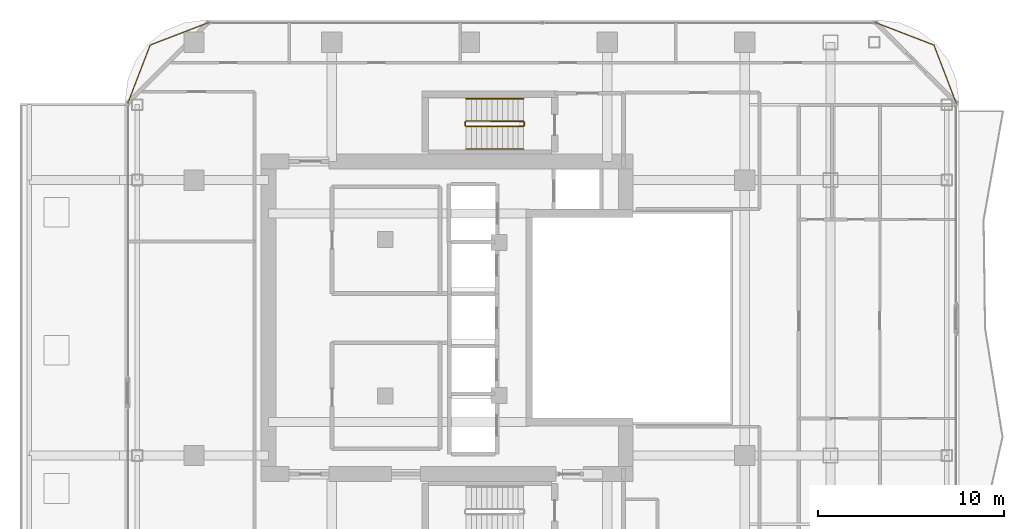
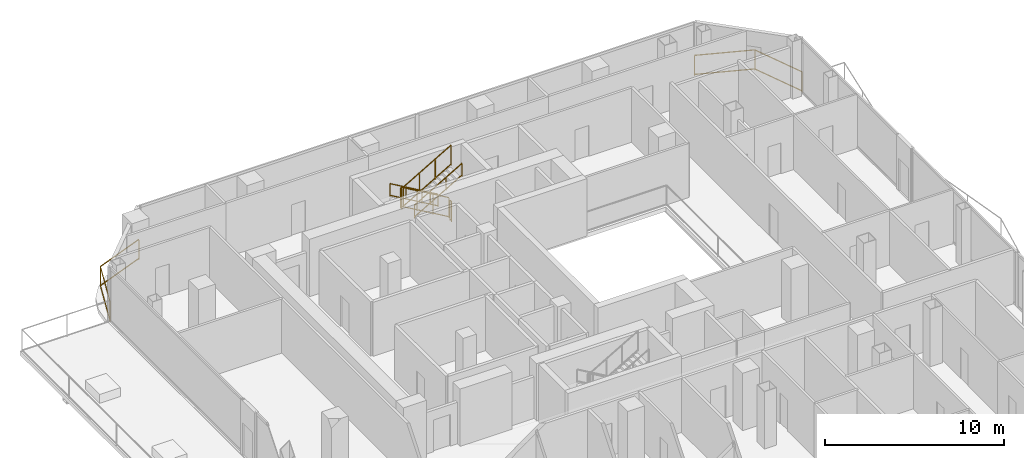
# One storey, part 26 of 26: 8 railings.
"""IFC4 building model written with IfcOpenShell, lengths in metres."""

import ifcopenshell
import ifcopenshell.guid

model = None  # the IFC model being written
_history = None  # IfcOwnerHistory: only IFC2X3 demands one
_inside = {}  # id of a spatial element -> (the spatial element, [elements in it])
_under = {}  # id of a project, library or spatial element -> (it, [spatial elements below it])
_declared = {}  # id of a project -> (the project, [libraries it declares])
_typed = {}  # id of a type object -> (the type object, [elements of that type])
_made_of = {}  # id of a material, layer set ... -> (it, [elements and type objects made of it])


def new_model(schema):
    """Start an empty IFC model of exactly this schema.

    Asked for "IFC4X3", IfcOpenShell would pick the latest addendum, in which some entities
    have other attributes; the version numbers below select the first issue.
    IFC2X3 requires an IfcOwnerHistory on every rooted entity: one is made here for all.
    """
    global model, _history
    if schema == "IFC4X3":
        model = ifcopenshell.file(schema_version=(4, 3, 0, 0))
    else:
        model = ifcopenshell.file(schema=schema)
    _inside.clear()
    _under.clear()
    _declared.clear()
    _typed.clear()
    _made_of.clear()
    _history = None
    if model.schema == "IFC2X3":
        org = make("IfcOrganization", Name="unknown")
        user = make(
            "IfcPersonAndOrganization",
            ThePerson=make("IfcPerson", FamilyName="unknown"),
            TheOrganization=org,
        )
        app = make(
            "IfcApplication",
            ApplicationDeveloper=org,
            Version="unknown",
            ApplicationFullName="unknown",
            ApplicationIdentifier="unknown",
        )
        _history = make(
            "IfcOwnerHistory",
            OwningUser=user,
            OwningApplication=app,
            ChangeAction="ADDED",
            CreationDate=0,
        )
    return model


def make(cls, **values):
    """One entity of the class cls with the attributes given. An attribute that is None is left unset."""
    return model.create_entity(
        cls, **{name: value for name, value in values.items() if value is not None}
    )


def rooted(cls, **values):
    """An entity with a GlobalId (a new one), such as an element, a storey or a relation."""
    return make(cls, GlobalId=ifcopenshell.guid.new(), OwnerHistory=_history, **values)


def si_unit(unit_type, name, prefix=None):
    """IfcSIUnit, for example si_unit("LENGTHUNIT", "METRE", prefix="MILLI")."""
    return make("IfcSIUnit", UnitType=unit_type, Prefix=prefix, Name=name)


def assignment(units):
    """IfcUnitAssignment: the units of a project."""
    return None if units is None else make("IfcUnitAssignment", Units=units)


def point(xyz):
    """IfcCartesianPoint."""
    return None if xyz is None else make("IfcCartesianPoint", Coordinates=xyz)


def direction(xyz):
    """IfcDirection."""
    return None if xyz is None else make("IfcDirection", DirectionRatios=xyz)


def frame(location, z_axis=None, x_axis=None):
    """IfcAxis2Placement3D, a coordinate frame: its origin and axes. An axis left out is left unset."""
    return make(
        "IfcAxis2Placement3D",
        Location=point(location),
        Axis=direction(z_axis),
        RefDirection=direction(x_axis),
    )


def frame_2d(location, x_axis=None):
    """IfcAxis2Placement2D, a coordinate frame in the plane: its origin and x axis."""
    return make(
        "IfcAxis2Placement2D", Location=point(location), RefDirection=direction(x_axis)
    )


def origin():
    """The frame at (0, 0, 0) with its axes left unset."""
    return frame((0.0, 0.0, 0.0))


def origin_2d():
    """The frame at (0, 0) in the plane with its x axis left unset."""
    return frame_2d((0.0, 0.0))


def place(relative_to, where):
    """IfcLocalPlacement: puts the frame where relative to a parent placement (None: the world)."""
    return make(
        "IfcLocalPlacement", PlacementRelTo=relative_to, RelativePlacement=where
    )


def context(
    kind, dimensions, precision=None, world=None, true_north=None, identifier=None
):
    """IfcGeometricRepresentationContext, for example the 3D "Model" context."""
    return make(
        "IfcGeometricRepresentationContext",
        ContextIdentifier=identifier,
        ContextType=kind,
        CoordinateSpaceDimension=dimensions,
        Precision=precision,
        WorldCoordinateSystem=world,
        TrueNorth=true_north,
    )


def subcontext(parent, identifier, kind, view, scale=None):
    """IfcGeometricRepresentationSubContext, for example "Body" below "Model"."""
    return make(
        "IfcGeometricRepresentationSubContext",
        ContextIdentifier=identifier,
        ContextType=kind,
        ParentContext=parent,
        TargetScale=scale,
        TargetView=view,
    )


def project(units=None, contexts=None):
    """IfcProject with its units and contexts."""
    return rooted(
        "IfcProject",
        Name="project",
        RepresentationContexts=contexts,
        UnitsInContext=assignment(units),
    )


def spatial(cls, under=None, at=None, **own):
    """A site, building, storey or space (cls), placed at a placement, below another one or the project."""
    s = rooted(cls, ObjectPlacement=at, **own)
    if under is not None:
        _under.setdefault(under.id(), (under, []))[1].append(s)
    return s


def profile(cls, at=None, kind="AREA", **sizes):
    """A parametric profile (cls). Its sizes go by their IFC names, for example OverallWidth=200.0."""
    return make(cls, ProfileType=kind, Position=at, **sizes)


def rectangle(**sizes):
    """IfcRectangleProfileDef."""
    return profile("IfcRectangleProfileDef", **sizes)


def extrude(swept, where, along, depth):
    """IfcExtrudedAreaSolid: the profile swept, set in the frame where, extruded along a direction by depth."""
    return make(
        "IfcExtrudedAreaSolid",
        SweptArea=swept,
        Position=where,
        ExtrudedDirection=direction(along),
        Depth=depth,
    )


def shape(context_of_items, identifier, shape_type, items):
    """IfcShapeRepresentation: the items that make up one representation, for example the "Body"."""
    return make(
        "IfcShapeRepresentation",
        ContextOfItems=context_of_items,
        RepresentationIdentifier=identifier,
        RepresentationType=shape_type,
        Items=items,
    )


def material(Name=None, Category=None):
    """IfcMaterial."""
    return make("IfcMaterial", Name=Name, Category=Category)


def made_of(thing, what):
    """Note that an element or type object is made of a material, layer set ...; save() writes the relation."""
    if what is not None:
        _made_of.setdefault(what.id(), (what, []))[1].append(thing)
    return thing


def type_object(cls, material=None, **own):
    """A type object (cls), such as IfcWallType, which elements share."""
    return made_of(rooted(cls, **own), material)


def element(
    cls,
    number,
    at=None,
    inside=None,
    cuts=None,
    type_object=None,
    material=None,
    context=None,
    identifier="Body",
    shape_type=None,
    held_by="IfcProductDefinitionShape",
    body=None,
    shapes=None,
    **own,
):
    """One element of the class cls, such as IfcWall. Its Tag is "e" and its number.

    at: its placement. inside: the storey or other place that contains it. cuts: it is an
    opening in that element (IfcRelVoidsElement). A single representation is given by context,
    identifier, shape_type and body (its items); several are given by shapes. held_by: the class
    of the entity that holds the representations. save() writes the other relations.
    """
    e = rooted(cls, Tag="e%d" % number, ObjectPlacement=at, **own)
    if body is not None:
        shapes = [shape(context, identifier, shape_type, body)]
    if shapes is not None:
        e.Representation = make(held_by, Representations=shapes)
    if inside is not None:
        _inside.setdefault(inside.id(), (inside, []))[1].append(e)
    if cuts is not None:
        rooted(
            "IfcRelVoidsElement", RelatingBuildingElement=cuts, RelatedOpeningElement=e
        )
    if type_object is not None:
        _typed.setdefault(type_object.id(), (type_object, []))[1].append(e)
    return made_of(e, material)


def aggregate(whole, parts):
    """IfcRelAggregates: a whole, such as a stair, and the parts it consists of."""
    return rooted("IfcRelAggregates", RelatingObject=whole, RelatedObjects=parts)


def save(model, path):
    """Write the relations noted so far, then the file.

    IfcRelAggregates (storeys below a building ...), IfcRelContainedInSpatialStructure (elements
    in a storey), IfcRelDefinesByType, IfcRelAssociatesMaterial and IfcRelDeclares: one each for
    every whole, place, type object, material and project.
    """
    for whole, parts in _under.values():
        aggregate(whole, parts)
    for where, things in _inside.values():
        rooted(
            "IfcRelContainedInSpatialStructure",
            RelatedElements=things,
            RelatingStructure=where,
        )
    for kind, things in _typed.values():
        rooted("IfcRelDefinesByType", RelatedObjects=things, RelatingType=kind)
    for what, things in _made_of.values():
        rooted("IfcRelAssociatesMaterial", RelatedObjects=things, RelatingMaterial=what)
    for by, libraries in _declared.values():
        rooted("IfcRelDeclares", RelatingContext=by, RelatedDefinitions=libraries)
    model.write(path)


model = new_model("IFC4")

# Units and contexts
model_context = context("Model", 3, precision=1e-05, world=origin(), true_north=direction((0.0, 1.0)))
body_context = subcontext(model_context, "Body", "Model", "MODEL_VIEW")
ifc_project = project(units=[si_unit("LENGTHUNIT", "METRE"), si_unit("AREAUNIT", "SQUARE_METRE"), si_unit("VOLUMEUNIT", "CUBIC_METRE"), si_unit("PLANEANGLEUNIT", "RADIAN"), si_unit("MASSUNIT", "GRAM", prefix="KILO")], contexts=[model_context])

# Site, building, storey
site_placement = place(None, origin())
site = spatial("IfcSite", under=ifc_project, at=site_placement, CompositionType="ELEMENT")
building_placement = place(site_placement, origin())
building = spatial("IfcBuilding", under=site, at=building_placement, Name="Khorvyn Point Tower", CompositionType="ELEMENT")
storey_placement = place(building_placement, frame((0.0, 0.0, 219.60009765625)))
storey = spatial("IfcBuildingStorey", under=building, at=storey_placement, Name="L54", CompositionType="ELEMENT", Elevation=219.60009765625)

# Railings
ifc_material_1 = material(Name="Anodised aluminium 6063-T6 and laminated safety glass", Category="aluminium")
railing_type_1 = type_object("IfcRailingType", Name="Laminated Glass and Aluminium Balcony Guardrail 1400", PredefinedType="BALUSTRADE", material=ifc_material_1)
railing_1_placement = place(storey_placement, frame((-13.981201171875, 15.874267578125, 0.0)))
element("IfcRailing", 1, at=railing_1_placement, inside=storey, type_object=railing_type_1, Name="L54 Rounded Corner Edge Guardrail NW", PredefinedType="BALUSTRADE", context=body_context, shape_type="SweptSolid", body=[
    extrude(rectangle(XDim=0.048095703125, YDim=0.048095703125, at=origin_2d()), frame((0.0, 0.0, 1.3759765625), z_axis=(-0.933589651443, -0.358343916815, 0.0), x_axis=(0.358343916815, -0.933589651443, 0.0)), (0.0, 0.0, 1.0), 3.400390625),
    extrude(rectangle(XDim=0.048095703125, YDim=0.048095703125, at=origin_2d()), frame((0.0, 0.0, 0.080078125), z_axis=(-0.933589651443, -0.358343916815, 0.0), x_axis=(0.358343916815, -0.933589651443, 0.0)), (0.0, 0.0, 1.0), 3.400390625),
    extrude(rectangle(XDim=0.048095703125, YDim=0.048095703125, at=origin_2d()), frame((-3.174560546875, -1.218505859375, 1.3759765625), z_axis=(-0.358343916815, -0.933589651443, 0.0), x_axis=(0.933589651443, -0.358343916815, 0.0)), (0.0, 0.0, 1.0), 3.400390625),
    extrude(rectangle(XDim=0.048095703125, YDim=0.048095703125, at=origin_2d()), frame((-3.174560546875, -1.218505859375, 0.080078125), z_axis=(-0.358343916815, -0.933589651443, 0.0), x_axis=(0.933589651443, -0.358343916815, 0.0)), (0.0, 0.0, 1.0), 3.400390625),
    extrude(rectangle(XDim=0.0419921875, YDim=0.0419921875, at=origin_2d()), origin(), (0.0, 0.0, 1.0), 1.351806640625),
    extrude(rectangle(XDim=0.0419921875, YDim=0.0419921875, at=origin_2d()), frame((-3.174560546875, -1.218505859375, 0.0)), (0.0, 0.0, 1.0), 1.351806640625),
    extrude(rectangle(XDim=0.0419921875, YDim=0.0419921875, at=origin_2d()), frame((-4.39306640625, -4.39306640625, 0.0)), (0.0, 0.0, 1.0), 1.351806640625),
])
railing_2_placement = place(storey_placement, frame((26.17431640625, 11.481201171875, 0.0)))
element("IfcRailing", 2, at=railing_2_placement, inside=storey, type_object=railing_type_1, Name="L54 Rounded Corner Edge Guardrail NE", PredefinedType="BALUSTRADE", context=body_context, shape_type="SweptSolid", body=[
    extrude(rectangle(XDim=0.048095703125, YDim=0.048095703125, at=origin_2d()), frame((0.0, 0.0, 1.3759765625), z_axis=(-0.358343916815, 0.933589651443, 0.0), x_axis=(-0.933589651443, -0.358343916815, 0.0)), (0.0, 0.0, 1.0), 3.400390625),
    extrude(rectangle(XDim=0.048095703125, YDim=0.048095703125, at=origin_2d()), frame((0.0, 0.0, 0.080078125), z_axis=(-0.358343916815, 0.933589651443, 0.0), x_axis=(-0.933589651443, -0.358343916815, 0.0)), (0.0, 0.0, 1.0), 3.400390625),
    extrude(rectangle(XDim=0.048095703125, YDim=0.048095703125, at=origin_2d()), frame((-1.218505859375, 3.174560546875, 1.3759765625), z_axis=(-0.933589651443, 0.358343916815, 0.0), x_axis=(-0.358343916815, -0.933589651443, 0.0)), (0.0, 0.0, 1.0), 3.400390625),
    extrude(rectangle(XDim=0.048095703125, YDim=0.048095703125, at=origin_2d()), frame((-1.218505859375, 3.174560546875, 0.080078125), z_axis=(-0.933589651443, 0.358343916815, 0.0), x_axis=(-0.358343916815, -0.933589651443, 0.0)), (0.0, 0.0, 1.0), 3.400390625),
    extrude(rectangle(XDim=0.0419921875, YDim=0.0419921875, at=origin_2d()), origin(), (0.0, 0.0, 1.0), 1.351806640625),
    extrude(rectangle(XDim=0.0419921875, YDim=0.0419921875, at=origin_2d()), frame((-1.218505859375, 3.174560546875, 0.0)), (0.0, 0.0, 1.0), 1.351806640625),
    extrude(rectangle(XDim=0.0419921875, YDim=0.0419921875, at=origin_2d()), frame((-4.39306640625, 4.39306640625, 0.0)), (0.0, 0.0, 1.0), 1.351806640625),
])
ifc_material_2 = material(Name="Stainless steel 1.4301", Category="steel")
railing_type_2 = type_object("IfcRailingType", Name="Stainless Steel 304 Stair Pitch Handrail 900", PredefinedType="HANDRAIL", material=ifc_material_2)
railing_3_placement = place(storey_placement, frame((2.89990234375, 11.77001953125, 0.162353515625)))
element("IfcRailing", 3, at=railing_3_placement, inside=storey, type_object=railing_type_2, Name="L54 ST-02 stair handrail 1", PredefinedType="HANDRAIL", context=body_context, shape_type="SweptSolid", body=[
    extrude(rectangle(XDim=0.048095703125, YDim=0.048095703125, at=origin_2d()), frame((0.0, 0.0, 0.8759765625), z_axis=(-0.864873446163, 0.0, 0.501989962173), x_axis=(0.0, -1.0, 0.0)), (0.0, 0.0, 1.0), 3.56103515625),
    extrude(rectangle(XDim=0.048095703125, YDim=0.048095703125, at=origin_2d()), frame((0.0, 0.0, 0.080078125), z_axis=(-0.864873446163, 0.0, 0.501989962173), x_axis=(0.0, -1.0, 0.0)), (0.0, 0.0, 1.0), 3.56103515625),
    extrude(rectangle(XDim=0.0419921875, YDim=0.0419921875, at=origin_2d()), origin(), (0.0, 0.0, 1.0), 0.851806640625),
    extrude(rectangle(XDim=0.0419921875, YDim=0.0419921875, at=origin_2d()), frame((-1.026611328125, 0.0, 0.595947265625)), (0.0, 0.0, 1.0), 0.851806640625),
    extrude(rectangle(XDim=0.0419921875, YDim=0.0419921875, at=origin_2d()), frame((-2.05322265625, 0.0, 1.191650390625)), (0.0, 0.0, 1.0), 0.851806640625),
    extrude(rectangle(XDim=0.0419921875, YDim=0.0419921875, at=origin_2d()), frame((-3.079833984375, 0.0, 1.78759765625)), (0.0, 0.0, 1.0), 0.851806640625),
])
railing_4_placement = place(storey_placement, frame((-0.179931640625, 9.070068359375, 2.1123046875)))
element("IfcRailing", 4, at=railing_4_placement, inside=storey, type_object=railing_type_2, Name="L54 ST-02 stair handrail 2", PredefinedType="HANDRAIL", context=body_context, shape_type="SweptSolid", body=[
    extrude(rectangle(XDim=0.048095703125, YDim=0.048095703125, at=origin_2d()), frame((0.0, 0.0, 0.8759765625), z_axis=(0.864873446163, 0.0, 0.501989962173), x_axis=(0.0, 1.0, 0.0)), (0.0, 0.0, 1.0), 3.56103515625),
    extrude(rectangle(XDim=0.048095703125, YDim=0.048095703125, at=origin_2d()), frame((0.0, 0.0, 0.080078125), z_axis=(0.864873446163, 0.0, 0.501989962173), x_axis=(0.0, 1.0, 0.0)), (0.0, 0.0, 1.0), 3.56103515625),
    extrude(rectangle(XDim=0.0419921875, YDim=0.0419921875, at=origin_2d()), origin(), (0.0, 0.0, 1.0), 0.851806640625),
    extrude(rectangle(XDim=0.0419921875, YDim=0.0419921875, at=origin_2d()), frame((1.026611328125, 0.0, 0.595947265625)), (0.0, 0.0, 1.0), 0.851806640625),
    extrude(rectangle(XDim=0.0419921875, YDim=0.0419921875, at=origin_2d()), frame((2.05322265625, 0.0, 1.191650390625)), (0.0, 0.0, 1.0), 0.851806640625),
    extrude(rectangle(XDim=0.0419921875, YDim=0.0419921875, at=origin_2d()), frame((3.079833984375, 0.0, 1.78759765625)), (0.0, 0.0, 1.0), 0.851806640625),
])
railing_type_3 = type_object("IfcRailingType", Name="Stainless Steel 304 Stair Well Guardrail 1400", PredefinedType="GUARDRAIL", material=ifc_material_2)
railing_5_placement = place(storey_placement, frame((2.89990234375, 10.550048828125, 0.162353515625)))
element("IfcRailing", 5, at=railing_5_placement, inside=storey, type_object=railing_type_3, Name="L54 ST-02 stair guard 1", PredefinedType="GUARDRAIL", context=body_context, shape_type="SweptSolid", body=[
    extrude(rectangle(XDim=0.048095703125, YDim=0.048095703125, at=origin_2d()), frame((0.0, 0.0, 1.3759765625), z_axis=(-0.864873446163, 0.0, 0.501989962173), x_axis=(0.0, -1.0, 0.0)), (0.0, 0.0, 1.0), 3.56103515625),
    extrude(rectangle(XDim=0.048095703125, YDim=0.048095703125, at=origin_2d()), frame((0.0, 0.0, 0.080078125), z_axis=(-0.864873446163, 0.0, 0.501989962173), x_axis=(0.0, -1.0, 0.0)), (0.0, 0.0, 1.0), 3.56103515625),
    extrude(rectangle(XDim=0.0419921875, YDim=0.0419921875, at=origin_2d()), origin(), (0.0, 0.0, 1.0), 1.351806640625),
    extrude(rectangle(XDim=0.0419921875, YDim=0.0419921875, at=origin_2d()), frame((-1.026611328125, 0.0, 0.595947265625)), (0.0, 0.0, 1.0), 1.351806640625),
    extrude(rectangle(XDim=0.0419921875, YDim=0.0419921875, at=origin_2d()), frame((-2.05322265625, 0.0, 1.191650390625)), (0.0, 0.0, 1.0), 1.351806640625),
    extrude(rectangle(XDim=0.0419921875, YDim=0.0419921875, at=origin_2d()), frame((-3.079833984375, 0.0, 1.78759765625)), (0.0, 0.0, 1.0), 1.351806640625),
])
railing_6_placement = place(storey_placement, frame((-0.22998046875, 10.5, 1.949951171875)))
element("IfcRailing", 6, at=railing_6_placement, inside=storey, type_object=railing_type_3, Name="L54 ST-02 stair guard 2", PredefinedType="GUARDRAIL", context=body_context, shape_type="SweptSolid", body=[
    extrude(rectangle(XDim=0.048095703125, YDim=0.048095703125, at=origin_2d()), frame((0.0, 0.0, 1.3759765625), z_axis=(0.0, -1.0, 0.0), x_axis=(1.0, 0.0, 0.0)), (0.0, 0.0, 1.0), 0.159912109375),
    extrude(rectangle(XDim=0.048095703125, YDim=0.048095703125, at=origin_2d()), frame((0.0, 0.0, 0.080078125), z_axis=(0.0, -1.0, 0.0), x_axis=(1.0, 0.0, 0.0)), (0.0, 0.0, 1.0), 0.159912109375),
    extrude(rectangle(XDim=0.0419921875, YDim=0.0419921875, at=origin_2d()), origin(), (0.0, 0.0, 1.0), 1.351806640625),
    extrude(rectangle(XDim=0.0419921875, YDim=0.0419921875, at=origin_2d()), frame((0.0, -0.159912109375, 0.0)), (0.0, 0.0, 1.0), 1.351806640625),
])
railing_7_placement = place(storey_placement, frame((-0.179931640625, 10.2900390625, 2.1123046875)))
element("IfcRailing", 7, at=railing_7_placement, inside=storey, type_object=railing_type_3, Name="L54 ST-02 stair guard 3", PredefinedType="GUARDRAIL", context=body_context, shape_type="SweptSolid", body=[
    extrude(rectangle(XDim=0.048095703125, YDim=0.048095703125, at=origin_2d()), frame((0.0, 0.0, 1.3759765625), z_axis=(0.864873446163, 0.0, 0.501989962173), x_axis=(0.0, 1.0, 0.0)), (0.0, 0.0, 1.0), 3.56103515625),
    extrude(rectangle(XDim=0.048095703125, YDim=0.048095703125, at=origin_2d()), frame((0.0, 0.0, 0.080078125), z_axis=(0.864873446163, 0.0, 0.501989962173), x_axis=(0.0, 1.0, 0.0)), (0.0, 0.0, 1.0), 3.56103515625),
    extrude(rectangle(XDim=0.0419921875, YDim=0.0419921875, at=origin_2d()), origin(), (0.0, 0.0, 1.0), 1.351806640625),
    extrude(rectangle(XDim=0.0419921875, YDim=0.0419921875, at=origin_2d()), frame((1.026611328125, 0.0, 0.595947265625)), (0.0, 0.0, 1.0), 1.351806640625),
    extrude(rectangle(XDim=0.0419921875, YDim=0.0419921875, at=origin_2d()), frame((2.05322265625, 0.0, 1.191650390625)), (0.0, 0.0, 1.0), 1.351806640625),
    extrude(rectangle(XDim=0.0419921875, YDim=0.0419921875, at=origin_2d()), frame((3.079833984375, 0.0, 1.78759765625)), (0.0, 0.0, 1.0), 1.351806640625),
])
railing_8_placement = place(storey_placement, frame((2.949951171875, 10.5, 0.0)))
element("IfcRailing", 8, at=railing_8_placement, inside=storey, type_object=railing_type_3, Name="L54 ST-02 stair guard 4", PredefinedType="GUARDRAIL", context=body_context, shape_type="SweptSolid", body=[
    extrude(rectangle(XDim=0.048095703125, YDim=0.048095703125, at=origin_2d()), frame((0.0, 0.0, 1.3759765625), z_axis=(0.0, -1.0, 0.0), x_axis=(1.0, 0.0, 0.0)), (0.0, 0.0, 1.0), 0.159912109375),
    extrude(rectangle(XDim=0.048095703125, YDim=0.048095703125, at=origin_2d()), frame((0.0, 0.0, 0.080078125), z_axis=(0.0, -1.0, 0.0), x_axis=(1.0, 0.0, 0.0)), (0.0, 0.0, 1.0), 0.159912109375),
    extrude(rectangle(XDim=0.0419921875, YDim=0.0419921875, at=origin_2d()), origin(), (0.0, 0.0, 1.0), 1.351806640625),
    extrude(rectangle(XDim=0.0419921875, YDim=0.0419921875, at=origin_2d()), frame((0.0, -0.159912109375, 0.0)), (0.0, 0.0, 1.0), 1.351806640625),
])

save(model, "model.ifc")
